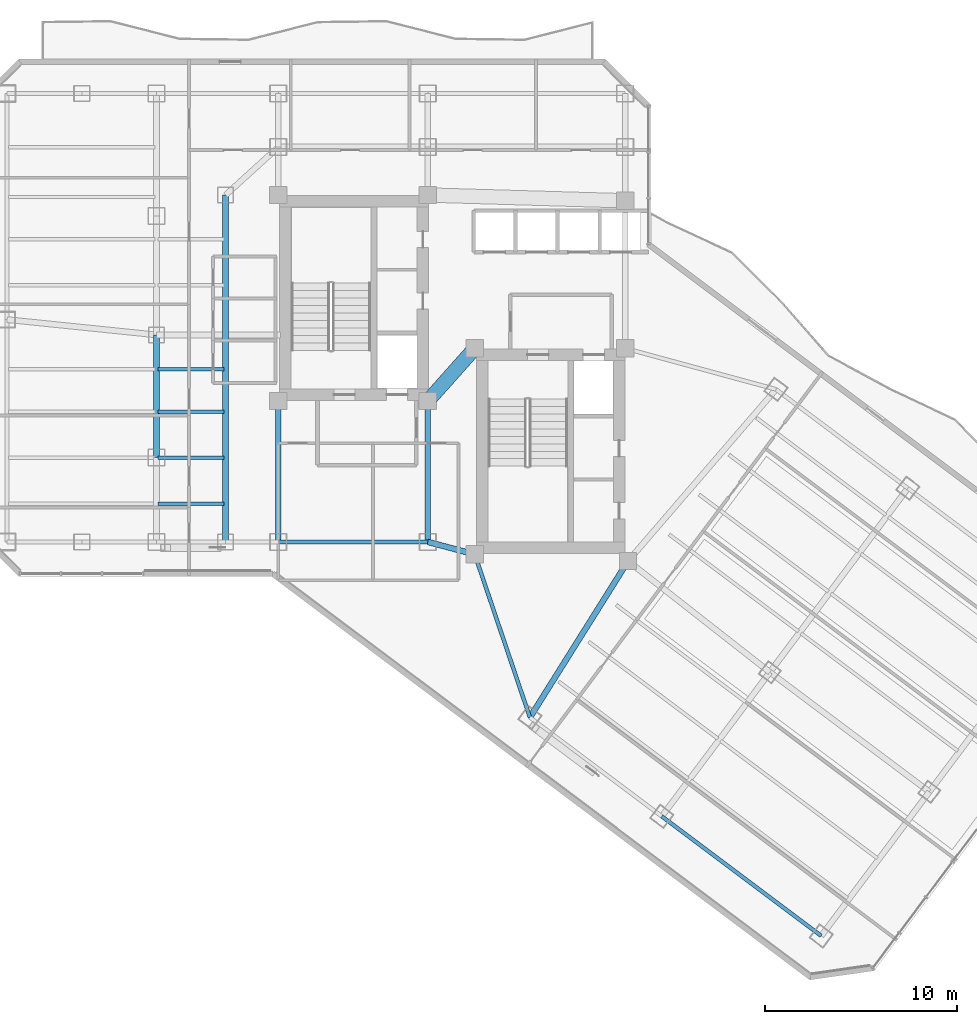
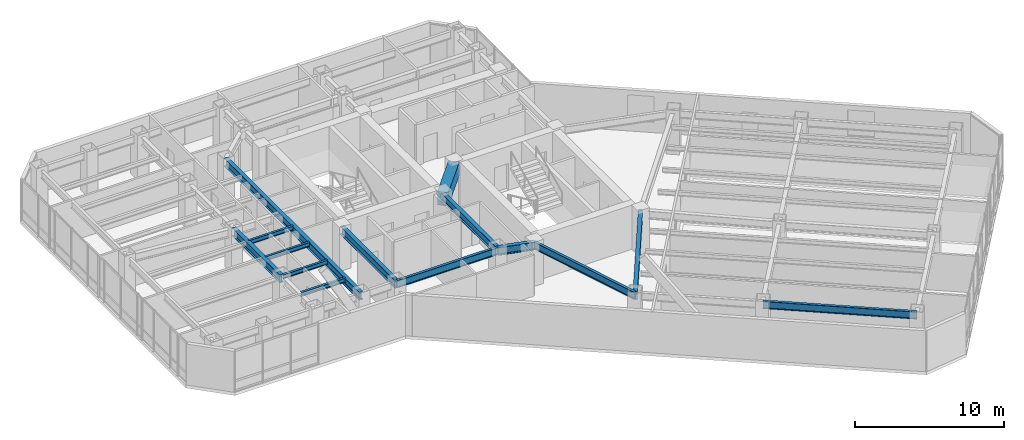
# One storey, part 5 of 31: 14 beams.
"""IFC4 building model written with IfcOpenShell, lengths in metres."""

import ifcopenshell
import ifcopenshell.guid

model = None  # the IFC model being written
_history = None  # IfcOwnerHistory: only IFC2X3 demands one
_inside = {}  # id of a spatial element -> (the spatial element, [elements in it])
_under = {}  # id of a project, library or spatial element -> (it, [spatial elements below it])
_declared = {}  # id of a project -> (the project, [libraries it declares])
_typed = {}  # id of a type object -> (the type object, [elements of that type])
_made_of = {}  # id of a material, layer set ... -> (it, [elements and type objects made of it])


def new_model(schema):
    """Start an empty IFC model of exactly this schema.

    Asked for "IFC4X3", IfcOpenShell would pick the latest addendum, in which some entities
    have other attributes; the version numbers below select the first issue.
    IFC2X3 requires an IfcOwnerHistory on every rooted entity: one is made here for all.
    """
    global model, _history
    if schema == "IFC4X3":
        model = ifcopenshell.file(schema_version=(4, 3, 0, 0))
    else:
        model = ifcopenshell.file(schema=schema)
    _inside.clear()
    _under.clear()
    _declared.clear()
    _typed.clear()
    _made_of.clear()
    _history = None
    if model.schema == "IFC2X3":
        org = make("IfcOrganization", Name="unknown")
        user = make(
            "IfcPersonAndOrganization",
            ThePerson=make("IfcPerson", FamilyName="unknown"),
            TheOrganization=org,
        )
        app = make(
            "IfcApplication",
            ApplicationDeveloper=org,
            Version="unknown",
            ApplicationFullName="unknown",
            ApplicationIdentifier="unknown",
        )
        _history = make(
            "IfcOwnerHistory",
            OwningUser=user,
            OwningApplication=app,
            ChangeAction="ADDED",
            CreationDate=0,
        )
    return model


def make(cls, **values):
    """One entity of the class cls with the attributes given. An attribute that is None is left unset."""
    return model.create_entity(
        cls, **{name: value for name, value in values.items() if value is not None}
    )


def rooted(cls, **values):
    """An entity with a GlobalId (a new one), such as an element, a storey or a relation."""
    return make(cls, GlobalId=ifcopenshell.guid.new(), OwnerHistory=_history, **values)


def si_unit(unit_type, name, prefix=None):
    """IfcSIUnit, for example si_unit("LENGTHUNIT", "METRE", prefix="MILLI")."""
    return make("IfcSIUnit", UnitType=unit_type, Prefix=prefix, Name=name)


def assignment(units):
    """IfcUnitAssignment: the units of a project."""
    return None if units is None else make("IfcUnitAssignment", Units=units)


def point(xyz):
    """IfcCartesianPoint."""
    return None if xyz is None else make("IfcCartesianPoint", Coordinates=xyz)


def direction(xyz):
    """IfcDirection."""
    return None if xyz is None else make("IfcDirection", DirectionRatios=xyz)


def frame(location, z_axis=None, x_axis=None):
    """IfcAxis2Placement3D, a coordinate frame: its origin and axes. An axis left out is left unset."""
    return make(
        "IfcAxis2Placement3D",
        Location=point(location),
        Axis=direction(z_axis),
        RefDirection=direction(x_axis),
    )


def frame_2d(location, x_axis=None):
    """IfcAxis2Placement2D, a coordinate frame in the plane: its origin and x axis."""
    return make(
        "IfcAxis2Placement2D", Location=point(location), RefDirection=direction(x_axis)
    )


def origin():
    """The frame at (0, 0, 0) with its axes left unset."""
    return frame((0.0, 0.0, 0.0))


def origin_2d():
    """The frame at (0, 0) in the plane with its x axis left unset."""
    return frame_2d((0.0, 0.0))


def place(relative_to, where):
    """IfcLocalPlacement: puts the frame where relative to a parent placement (None: the world)."""
    return make(
        "IfcLocalPlacement", PlacementRelTo=relative_to, RelativePlacement=where
    )


def context(
    kind, dimensions, precision=None, world=None, true_north=None, identifier=None
):
    """IfcGeometricRepresentationContext, for example the 3D "Model" context."""
    return make(
        "IfcGeometricRepresentationContext",
        ContextIdentifier=identifier,
        ContextType=kind,
        CoordinateSpaceDimension=dimensions,
        Precision=precision,
        WorldCoordinateSystem=world,
        TrueNorth=true_north,
    )


def subcontext(parent, identifier, kind, view, scale=None):
    """IfcGeometricRepresentationSubContext, for example "Body" below "Model"."""
    return make(
        "IfcGeometricRepresentationSubContext",
        ContextIdentifier=identifier,
        ContextType=kind,
        ParentContext=parent,
        TargetScale=scale,
        TargetView=view,
    )


def project(units=None, contexts=None):
    """IfcProject with its units and contexts."""
    return rooted(
        "IfcProject",
        Name="project",
        RepresentationContexts=contexts,
        UnitsInContext=assignment(units),
    )


def spatial(cls, under=None, at=None, **own):
    """A site, building, storey or space (cls), placed at a placement, below another one or the project."""
    s = rooted(cls, ObjectPlacement=at, **own)
    if under is not None:
        _under.setdefault(under.id(), (under, []))[1].append(s)
    return s


def profile(cls, at=None, kind="AREA", **sizes):
    """A parametric profile (cls). Its sizes go by their IFC names, for example OverallWidth=200.0."""
    return make(cls, ProfileType=kind, Position=at, **sizes)


def rectangle(**sizes):
    """IfcRectangleProfileDef."""
    return profile("IfcRectangleProfileDef", **sizes)


def i_section(**sizes):
    """IfcIShapeProfileDef."""
    return profile("IfcIShapeProfileDef", **sizes)


def extrude(swept, where, along, depth):
    """IfcExtrudedAreaSolid: the profile swept, set in the frame where, extruded along a direction by depth."""
    return make(
        "IfcExtrudedAreaSolid",
        SweptArea=swept,
        Position=where,
        ExtrudedDirection=direction(along),
        Depth=depth,
    )


def shape(context_of_items, identifier, shape_type, items):
    """IfcShapeRepresentation: the items that make up one representation, for example the "Body"."""
    return make(
        "IfcShapeRepresentation",
        ContextOfItems=context_of_items,
        RepresentationIdentifier=identifier,
        RepresentationType=shape_type,
        Items=items,
    )


def material(Name=None, Category=None):
    """IfcMaterial."""
    return make("IfcMaterial", Name=Name, Category=Category)


def material_profile(
    of_material, cross_section, Name=None, Category=None, Priority=None
):
    """IfcMaterialProfile: a cross section and its material."""
    return make(
        "IfcMaterialProfile",
        Name=Name,
        Material=of_material,
        Profile=cross_section,
        Priority=Priority,
        Category=Category,
    )


def profile_set(profiles, Name=None, composite=None):
    """IfcMaterialProfileSet."""
    return make(
        "IfcMaterialProfileSet",
        Name=Name,
        MaterialProfiles=profiles,
        CompositeProfile=composite,
    )


def made_of(thing, what):
    """Note that an element or type object is made of a material, layer set ...; save() writes the relation."""
    if what is not None:
        _made_of.setdefault(what.id(), (what, []))[1].append(thing)
    return thing


def type_object(cls, material=None, **own):
    """A type object (cls), such as IfcWallType, which elements share."""
    return made_of(rooted(cls, **own), material)


def element(
    cls,
    number,
    at=None,
    inside=None,
    cuts=None,
    type_object=None,
    material=None,
    context=None,
    identifier="Body",
    shape_type=None,
    held_by="IfcProductDefinitionShape",
    body=None,
    shapes=None,
    **own,
):
    """One element of the class cls, such as IfcWall. Its Tag is "e" and its number.

    at: its placement. inside: the storey or other place that contains it. cuts: it is an
    opening in that element (IfcRelVoidsElement). A single representation is given by context,
    identifier, shape_type and body (its items); several are given by shapes. held_by: the class
    of the entity that holds the representations. save() writes the other relations.
    """
    e = rooted(cls, Tag="e%d" % number, ObjectPlacement=at, **own)
    if body is not None:
        shapes = [shape(context, identifier, shape_type, body)]
    if shapes is not None:
        e.Representation = make(held_by, Representations=shapes)
    if inside is not None:
        _inside.setdefault(inside.id(), (inside, []))[1].append(e)
    if cuts is not None:
        rooted(
            "IfcRelVoidsElement", RelatingBuildingElement=cuts, RelatedOpeningElement=e
        )
    if type_object is not None:
        _typed.setdefault(type_object.id(), (type_object, []))[1].append(e)
    return made_of(e, material)


def aggregate(whole, parts):
    """IfcRelAggregates: a whole, such as a stair, and the parts it consists of."""
    return rooted("IfcRelAggregates", RelatingObject=whole, RelatedObjects=parts)


def save(model, path):
    """Write the relations noted so far, then the file.

    IfcRelAggregates (storeys below a building ...), IfcRelContainedInSpatialStructure (elements
    in a storey), IfcRelDefinesByType, IfcRelAssociatesMaterial and IfcRelDeclares: one each for
    every whole, place, type object, material and project.
    """
    for whole, parts in _under.values():
        aggregate(whole, parts)
    for where, things in _inside.values():
        rooted(
            "IfcRelContainedInSpatialStructure",
            RelatedElements=things,
            RelatingStructure=where,
        )
    for kind, things in _typed.values():
        rooted("IfcRelDefinesByType", RelatedObjects=things, RelatingType=kind)
    for what, things in _made_of.values():
        rooted("IfcRelAssociatesMaterial", RelatedObjects=things, RelatingMaterial=what)
    for by, libraries in _declared.values():
        rooted("IfcRelDeclares", RelatingContext=by, RelatedDefinitions=libraries)
    model.write(path)


model = new_model("IFC4")

# Units and contexts
model_context = context("Model", 3, precision=1e-05, world=origin(), true_north=direction((0.0, 1.0)))
body_context = subcontext(model_context, "Body", "Model", "MODEL_VIEW")
ifc_project = project(units=[si_unit("LENGTHUNIT", "METRE"), si_unit("AREAUNIT", "SQUARE_METRE"), si_unit("VOLUMEUNIT", "CUBIC_METRE"), si_unit("PLANEANGLEUNIT", "RADIAN"), si_unit("MASSUNIT", "GRAM", prefix="KILO")], contexts=[model_context])

# Site, building, storey
site_placement = place(None, origin())
site = spatial("IfcSite", under=ifc_project, at=site_placement, CompositionType="ELEMENT")
building_placement = place(site_placement, origin())
building = spatial("IfcBuilding", under=site, at=building_placement, Name="Hatsunagi Terrace Concourse", CompositionType="ELEMENT")
storey_placement = place(building_placement, frame((0.0, 0.0, 122.85009765625)))
storey = spatial("IfcBuildingStorey", under=building, at=storey_placement, Name="L32", CompositionType="ELEMENT", Elevation=122.85009765625)

# Beams
ifc_material_1 = material(Name="Concrete Fc48", Category="concrete")
ifc_material_profile_1 = material_profile(ifc_material_1, rectangle(XDim=0.75, YDim=1.10009765625, at=origin_2d()), Name="RC-750x1100")
ifc_profile_set_1 = profile_set([ifc_material_profile_1], Name="Concrete Fc48")
beam_type_1 = type_object("IfcBeamType", Name="CoreCouplingBeam_RC_750x1100", PredefinedType="BEAM", material=ifc_profile_set_1)
beam_1_placement = place(storey_placement, frame((33.35009765625, 32.550048828125, 2.7998046875), z_axis=(0.665198651008, 0.746666427997, 0.0), x_axis=(-0.746666427997, 0.665198651008, 0.0)))
element("IfcBeam", 1, at=beam_1_placement, inside=storey, type_object=beam_type_1, Name="Beam CB-02 CB-L32-1", PredefinedType="BEAM", context=body_context, shape_type="SweptSolid", body=[
    extrude(rectangle(XDim=0.75, YDim=1.10009765625, at=origin_2d()), origin(), (0.0, 0.0, 1.0), 3.68310546875),
])
ifc_material_2 = material(Name="Steel SN490B", Category="steel")
ifc_material_profile_2 = material_profile(ifc_material_2, i_section(OverallWidth=0.175048828125, OverallDepth=0.35009765625, WebThickness=0.007080078125, FlangeThickness=0.010986328125, FilletRadius=0.012939453125, at=origin_2d()), Name="H-350x175x7x11")
ifc_profile_set_2 = profile_set([ifc_material_profile_2], Name="Steel SN490B")
beam_type_2 = type_object("IfcBeamType", Name="HotelJoist_H_350x175", PredefinedType="JOIST", material=ifc_profile_set_2)
for number, where, z_axis, x_axis, name in (
    (2, (19.284912109375, 27.199951171875, 3.1748046875), (1.0, 0.0, 0.0), (0.0, 1.0, 0.0), "Beam J-02 J-L32-W-19-272"),
    (3, (19.284912109375, 29.60009765625, 3.1748046875), (1.0, 0.0, 0.0), (0.0, 1.0, 0.0), "Beam J-02 J-L32-W-19-296"),
    (4, (19.284912109375, 32.0, 3.1748046875), (1.0, 0.0, 0.0), (0.0, 1.0, 0.0), "Beam J-02 J-L32-W-19-320"),
    (5, (19.284912109375, 34.199951171875, 3.1748046875), (1.0, 0.0, 0.0), (0.0, 1.0, 0.0), "Beam J-02 J-L32-W-19-342"),
):
    element("IfcBeam", number, at=place(storey_placement, frame(where, z_axis=z_axis, x_axis=x_axis)), inside=storey, type_object=beam_type_2, Name=name, PredefinedType="JOIST", context=body_context, shape_type="SweptSolid", body=[
        extrude(i_section(OverallWidth=0.175048828125, OverallDepth=0.35009765625, WebThickness=0.007080078125, FlangeThickness=0.010986328125, FilletRadius=0.012939453125, at=origin_2d()), origin(), (0.0, 0.0, 1.0), 3.43017578125),
    ])
ifc_material_3 = material(Name="Steel SN490B", Category="steel")
ifc_material_profile_3 = material_profile(ifc_material_3, i_section(OverallWidth=0.300048828125, OverallDepth=0.64990234375, WebThickness=0.012939453125, FlangeThickness=0.02197265625, FilletRadius=0.01806640625, at=origin_2d()), Name="H-650x300x13x22")
ifc_profile_set_3 = profile_set([ifc_material_profile_3], Name="Steel SN490B")
beam_type_3 = type_object("IfcBeamType", Name="OfficeLowGirder_H_650x300", PredefinedType="BEAM", material=ifc_profile_set_3)
for number, where, z_axis, x_axis, name in (
    (6, (25.550048828125, 25.199951171875, 3.02490234375), (0.0, 1.0, 0.0), (-1.0, 0.0, 0.0), "Beam G-05 BM-L32-K1CA"),
    (7, (33.35009765625, 25.199951171875, 3.02490234375), (0.0, 1.0, 0.0), (-1.0, 0.0, 0.0), "Beam G-05 BM-L32-K2CA"),
):
    element("IfcBeam", number, at=place(storey_placement, frame(where, z_axis=z_axis, x_axis=x_axis)), inside=storey, type_object=beam_type_3, Name=name, PredefinedType="BEAM", context=body_context, shape_type="SweptSolid", body=[
        extrude(i_section(OverallWidth=0.300048828125, OverallDepth=0.64990234375, WebThickness=0.012939453125, FlangeThickness=0.02197265625, FilletRadius=0.01806640625, at=origin_2d()), origin(), (0.0, 0.0, 1.0), 7.35009765625),
    ])
beam_2_placement = place(storey_placement, frame((33.35009765625, 25.199951171875, 3.02490234375), z_axis=(0.966569840116, -0.256403479262, 0.0), x_axis=(0.256403479262, 0.966569840116, 0.0)))
element("IfcBeam", 8, at=beam_2_placement, inside=storey, type_object=beam_type_3, Name="Beam G-05 BM-L32-K2CB", PredefinedType="BEAM", context=body_context, shape_type="SweptSolid", body=[
    extrude(i_section(OverallWidth=0.300048828125, OverallDepth=0.64990234375, WebThickness=0.012939453125, FlangeThickness=0.02197265625, FilletRadius=0.01806640625, at=origin_2d()), origin(), (0.0, 0.0, 1.0), 2.53466796875),
])
beam_3_placement = place(storey_placement, frame((22.800048828125, 25.199951171875, 3.02490234375), z_axis=(0.0, 1.0, 0.0), x_axis=(-1.0, 0.0, 0.0)))
element("IfcBeam", 9, at=beam_3_placement, inside=storey, type_object=beam_type_3, Name="Beam G-05 BM-L32-CWNS", PredefinedType="BEAM", context=body_context, shape_type="SweptSolid", body=[
    extrude(i_section(OverallWidth=0.300048828125, OverallDepth=0.64990234375, WebThickness=0.012939453125, FlangeThickness=0.02197265625, FilletRadius=0.01806640625, at=origin_2d()), origin(), (0.0, 0.0, 1.0), 18.10009765625),
])
beam_4_placement = place(storey_placement, frame((19.199951171875, 29.60009765625, 3.02490234375), z_axis=(0.0, 1.0, 0.0), x_axis=(-1.0, 0.0, 0.0)))
element("IfcBeam", 10, at=beam_4_placement, inside=storey, type_object=beam_type_3, Name="Beam G-05 BM-L32-NS-19-29", PredefinedType="BEAM", context=body_context, shape_type="SweptSolid", body=[
    extrude(i_section(OverallWidth=0.300048828125, OverallDepth=0.64990234375, WebThickness=0.012939453125, FlangeThickness=0.02197265625, FilletRadius=0.01806640625, at=origin_2d()), origin(), (0.0, 0.0, 1.0), 6.39990234375),
])
beam_5_placement = place(storey_placement, frame((38.679931640625, 16.0400390625, 3.02490234375), z_axis=(0.531503907049, 0.847055840421, 0.0), x_axis=(-0.847055840421, 0.531503907049, 0.0)))
element("IfcBeam", 11, at=beam_5_placement, inside=storey, type_object=beam_type_3, Name="Beam G-05 BM-L32-SET-1A", PredefinedType="BEAM", context=body_context, shape_type="SweptSolid", body=[
    extrude(i_section(OverallWidth=0.300048828125, OverallDepth=0.64990234375, WebThickness=0.012939453125, FlangeThickness=0.02197265625, FilletRadius=0.01806640625, at=origin_2d()), origin(), (0.0, 0.0, 1.0), 9.63330078125),
])
ifc_material_4 = material(Name="Steel SN490B", Category="steel")
ifc_material_profile_4 = material_profile(ifc_material_4, i_section(OverallWidth=0.199951171875, OverallDepth=0.60009765625, WebThickness=0.010986328125, FlangeThickness=0.01708984375, FilletRadius=0.01806640625, at=origin_2d()), Name="H-600x200x11x17")
ifc_profile_set_4 = profile_set([ifc_material_profile_4], Name="Steel SN490B")
beam_type_4 = type_object("IfcBeamType", Name="PerimeterSpandrel_H_600x200", PredefinedType="SPANDREL", material=ifc_profile_set_4)
beam_6_placement = place(storey_placement, frame((25.550048828125, 25.199951171875, 3.0498046875), z_axis=(1.0, 0.0, 0.0), x_axis=(0.0, 1.0, 0.0)))
element("IfcBeam", 12, at=beam_6_placement, inside=storey, type_object=beam_type_4, Name="Beam SP-01 BM-L32-WS-25", PredefinedType="SPANDREL", context=body_context, shape_type="SweptSolid", body=[
    extrude(i_section(OverallWidth=0.199951171875, OverallDepth=0.60009765625, WebThickness=0.010986328125, FlangeThickness=0.01708984375, FilletRadius=0.01806640625, at=origin_2d()), origin(), (0.0, 0.0, 1.0), 7.800048828125),
])
beam_7_placement = place(storey_placement, frame((35.800048828125, 24.550048828125, 3.0498046875), z_axis=(0.320553412271, -0.947230441805, 0.0), x_axis=(0.947230441805, 0.320553412271, 0.0)))
element("IfcBeam", 13, at=beam_7_placement, inside=storey, type_object=beam_type_4, Name="Beam SP-01 BM-L32-SE-SW0", PredefinedType="SPANDREL", context=body_context, shape_type="SweptSolid", body=[
    extrude(i_section(OverallWidth=0.199951171875, OverallDepth=0.60009765625, WebThickness=0.010986328125, FlangeThickness=0.01708984375, FilletRadius=0.01806640625, at=origin_2d()), origin(), (0.0, 0.0, 1.0), 8.984130859375),
])
beam_8_placement = place(storey_placement, frame((45.56005859375, 10.8798828125, 3.0498046875), z_axis=(0.799994365871, -0.600007512099, 0.0), x_axis=(0.600007512099, 0.799994365871, 0.0)))
element("IfcBeam", 14, at=beam_8_placement, inside=storey, type_object=beam_type_4, Name="Beam SP-01 BM-L32-SE-SW3", PredefinedType="SPANDREL", context=body_context, shape_type="SweptSolid", body=[
    extrude(i_section(OverallWidth=0.199951171875, OverallDepth=0.60009765625, WebThickness=0.010986328125, FlangeThickness=0.01708984375, FilletRadius=0.01806640625, at=origin_2d()), origin(), (0.0, 0.0, 1.0), 10.39990234375),
])

save(model, "model.ifc")
